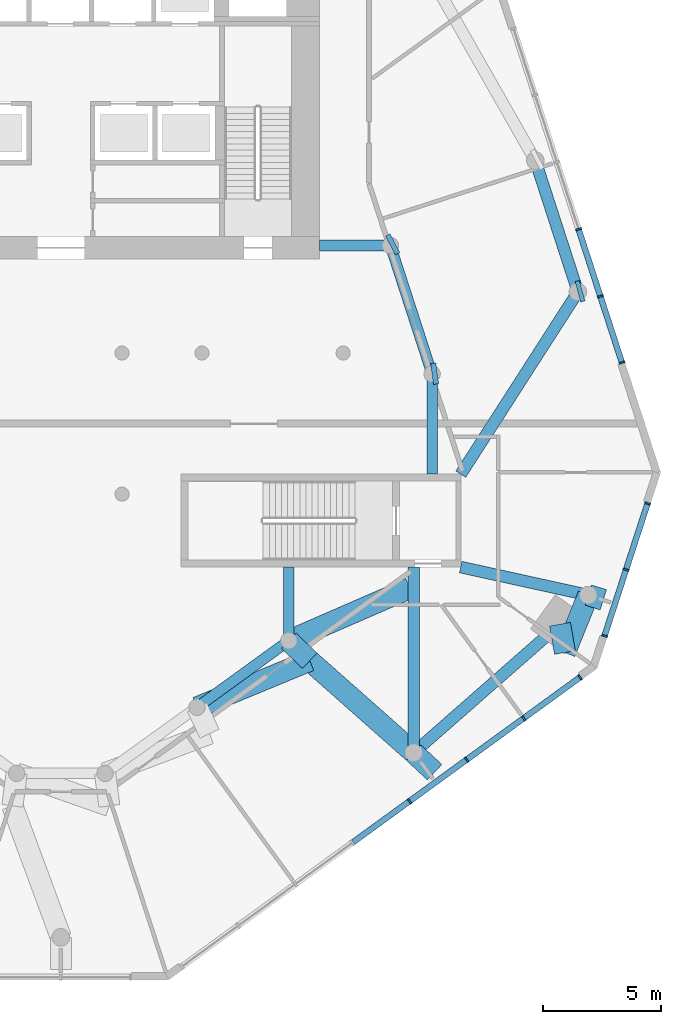
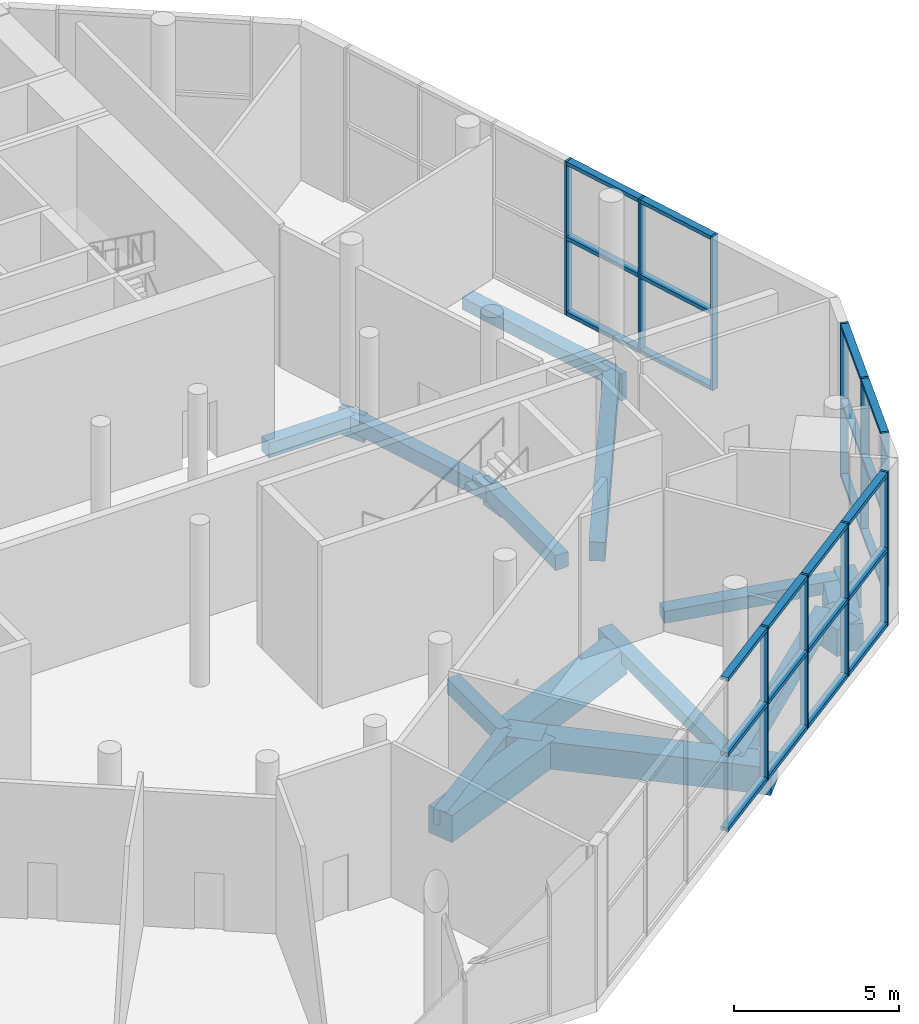
# One storey, part 4 of 14: 34 members, 21 beams, 3 elements without a shape of their own.
"""IFC4 building model written with IfcOpenShell, lengths in metres."""

from ifc_helpers import new_model, si_unit, direction, frame, origin, origin_2d, place, context, subcontext, project, spatial, rectangle, extrude, material, material_profile, profile_set, type_object, element, aggregate, save


model = new_model("IFC4")

# Units and contexts
model_context = context("Model", 3, precision=1e-05, world=origin(), true_north=direction((0.0, 1.0)))
body_context = subcontext(model_context, "Body", "Model", "MODEL_VIEW")
ifc_project = project(units=[si_unit("LENGTHUNIT", "METRE"), si_unit("AREAUNIT", "SQUARE_METRE"), si_unit("VOLUMEUNIT", "CUBIC_METRE"), si_unit("PLANEANGLEUNIT", "RADIAN"), si_unit("MASSUNIT", "GRAM", prefix="KILO")], contexts=[model_context])

# Site, building, storey
site_placement = place(None, origin())
site = spatial("IfcSite", under=ifc_project, at=site_placement, CompositionType="ELEMENT")
building_placement = place(site_placement, origin())
building = spatial("IfcBuilding", under=site, at=building_placement, Name="White Candle Pilgrim Tower", CompositionType="ELEMENT")
storey_placement = place(building_placement, frame((0.0, 0.0, 142.60009765625)))
storey = spatial("IfcBuildingStorey", under=building, at=storey_placement, Name="L32", CompositionType="ELEMENT", Elevation=142.60009765625)

# Curtain wall, members
ifc_material_1 = material(Name="Aluminium and glass", Category="aluminium")
curtain_wall_type = type_object("IfcCurtainWallType", Name="Curtain wall CW4 sky floor glazing", PredefinedType="NOTDEFINED", material=ifc_material_1)
curtain_wall_1_placement = place(storey_placement, origin())
curtain_wall_1 = element("IfcCurtainWall", 1, at=curtain_wall_1_placement, inside=storey, type_object=curtain_wall_type, Name="Curtain wall CW4 L32 SE", PredefinedType="NOTDEFINED")
ifc_material_2 = material(Name="Aluminium", Category="aluminium")
ifc_material_profile_1 = material_profile(ifc_material_2, rectangle(XDim=0.25, YDim=0.080078125, at=origin_2d()), Name="CW4 mullion 80x250")
ifc_profile_set_1 = profile_set([ifc_material_profile_1], Name="Aluminium")
member_type_1 = type_object("IfcMemberType", Name="CW4 mullion 80x250", PredefinedType="MULLION", material=ifc_profile_set_1)
member_1_placement = place(storey_placement, frame((84.82373046875, 47.947998046875, 0.0), z_axis=(0.0, 0.0, 1.0), x_axis=(-0.587785245924, 0.809016999002, 0.0)))
member_1 = element("IfcMember", 2, at=member_1_placement, type_object=member_type_1, Name="CW4 mullion 5", PredefinedType="MULLION", context=body_context, shape_type="SweptSolid", body=[
    extrude(rectangle(XDim=0.25, YDim=0.080078125, at=origin_2d()), origin(), (0.0, 0.0, 1.0), 5.699951171875),
])
member_2_placement = place(storey_placement, frame((87.250732421875, 49.71142578125, 0.0), z_axis=(0.0, 0.0, 1.0), x_axis=(-0.587785245924, 0.809016999002, 0.0)))
member_2 = element("IfcMember", 3, at=member_2_placement, type_object=member_type_1, Name="CW4 mullion 6", PredefinedType="MULLION", context=body_context, shape_type="SweptSolid", body=[
    extrude(rectangle(XDim=0.25, YDim=0.080078125, at=origin_2d()), origin(), (0.0, 0.0, 1.0), 5.699951171875),
])
member_3_placement = place(storey_placement, frame((89.677734375, 51.474853515625, 0.0), z_axis=(0.0, 0.0, 1.0), x_axis=(-0.587785245924, 0.809016999002, 0.0)))
member_3 = element("IfcMember", 4, at=member_3_placement, type_object=member_type_1, Name="CW4 mullion 7", PredefinedType="MULLION", context=body_context, shape_type="SweptSolid", body=[
    extrude(rectangle(XDim=0.25, YDim=0.080078125, at=origin_2d()), origin(), (0.0, 0.0, 1.0), 5.699951171875),
])
member_4_placement = place(storey_placement, frame((92.072509765625, 53.214599609375, 0.0), z_axis=(0.0, 0.0, 1.0), x_axis=(-0.587785245924, 0.809016999002, 0.0)))
member_4 = element("IfcMember", 5, at=member_4_placement, type_object=member_type_1, Name="CW4 mullion 8", PredefinedType="MULLION", context=body_context, shape_type="SweptSolid", body=[
    extrude(rectangle(XDim=0.25, YDim=0.080078125, at=origin_2d()), origin(), (0.0, 0.0, 1.0), 5.699951171875),
])

curtain_wall_2_placement = place(storey_placement, origin())
curtain_wall_2 = element("IfcCurtainWall", 6, at=curtain_wall_2_placement, inside=storey, type_object=curtain_wall_type, Name="Curtain wall CW4 L32 E chamfer", PredefinedType="NOTDEFINED")
member_5_placement = place(storey_placement, frame((93.113525390625, 54.97607421875, 0.0), z_axis=(0.0, 0.0, 1.0), x_axis=(-0.951056508674, 0.309017017829, 0.0)))
member_5 = element("IfcMember", 7, at=member_5_placement, type_object=member_type_1, Name="CW4 mullion 1", PredefinedType="MULLION", context=body_context, shape_type="SweptSolid", body=[
    extrude(rectangle(XDim=0.25, YDim=0.080078125, at=origin_2d()), origin(), (0.0, 0.0, 1.0), 5.699951171875),
])
member_6_placement = place(storey_placement, frame((94.028076171875, 57.791259765625, 0.0), z_axis=(0.0, 0.0, 1.0), x_axis=(-0.951056508674, 0.309017017829, 0.0)))
member_6 = element("IfcMember", 8, at=member_6_placement, type_object=member_type_1, Name="CW4 mullion 2", PredefinedType="MULLION", context=body_context, shape_type="SweptSolid", body=[
    extrude(rectangle(XDim=0.25, YDim=0.080078125, at=origin_2d()), origin(), (0.0, 0.0, 1.0), 5.699951171875),
])
member_7_placement = place(storey_placement, frame((94.94287109375, 60.6064453125, 0.0), z_axis=(0.0, 0.0, 1.0), x_axis=(-0.951056508674, 0.309017017829, 0.0)))
member_7 = element("IfcMember", 9, at=member_7_placement, type_object=member_type_1, Name="CW4 mullion 3", PredefinedType="MULLION", context=body_context, shape_type="SweptSolid", body=[
    extrude(rectangle(XDim=0.25, YDim=0.080078125, at=origin_2d()), origin(), (0.0, 0.0, 1.0), 5.699951171875),
])

curtain_wall_3_placement = place(storey_placement, origin())
curtain_wall_3 = element("IfcCurtainWall", 10, at=curtain_wall_3_placement, inside=storey, type_object=curtain_wall_type, Name="Curtain wall CW4 L32 ENE", PredefinedType="NOTDEFINED")
member_8_placement = place(storey_placement, frame((93.85205078125, 66.59521484375, 0.0), z_axis=(0.0, 0.0, 1.0), x_axis=(-0.951056511069, -0.309017010459, 0.0)))
member_8 = element("IfcMember", 11, at=member_8_placement, type_object=member_type_1, Name="CW4 mullion 1", PredefinedType="MULLION", context=body_context, shape_type="SweptSolid", body=[
    extrude(rectangle(XDim=0.25, YDim=0.080078125, at=origin_2d()), origin(), (0.0, 0.0, 1.0), 5.699951171875),
])
member_9_placement = place(storey_placement, frame((92.937255859375, 69.410400390625, 0.0), z_axis=(0.0, 0.0, 1.0), x_axis=(-0.951056511069, -0.309017010459, 0.0)))
member_9 = element("IfcMember", 12, at=member_9_placement, type_object=member_type_1, Name="CW4 mullion 2", PredefinedType="MULLION", context=body_context, shape_type="SweptSolid", body=[
    extrude(rectangle(XDim=0.25, YDim=0.080078125, at=origin_2d()), origin(), (0.0, 0.0, 1.0), 5.699951171875),
])
member_10_placement = place(storey_placement, frame((92.01025390625, 72.263427734375, 0.0), z_axis=(0.0, 0.0, 1.0), x_axis=(-0.951056511069, -0.309017010459, 0.0)))
member_10 = element("IfcMember", 13, at=member_10_placement, type_object=member_type_1, Name="CW4 mullion 3", PredefinedType="MULLION", context=body_context, shape_type="SweptSolid", body=[
    extrude(rectangle(XDim=0.25, YDim=0.080078125, at=origin_2d()), origin(), (0.0, 0.0, 1.0), 5.699951171875),
])

# Member
ifc_material_profile_2 = material_profile(ifc_material_2, rectangle(XDim=0.25, YDim=0.139892578125, at=origin_2d()), Name="CW4 transom 140x250")
ifc_profile_set_2 = profile_set([ifc_material_profile_2], Name="Aluminium")
member_type_2 = type_object("IfcMemberType", Name="CW4 transom 140x250", PredefinedType="USERDEFINED", material=ifc_profile_set_2)
member_11_placement = place(storey_placement, frame((82.428955078125, 46.208251953125, 0.06982421875), z_axis=(0.809018008275, 0.587783856777, 0.0), x_axis=(-0.587783856777, 0.809018008275, 0.0)))
member_11 = element("IfcMember", 14, at=member_11_placement, type_object=member_type_2, Name="CW4 transom 4.1", ObjectType="TRANSOM", PredefinedType="USERDEFINED", context=body_context, shape_type="SweptSolid", body=[
    extrude(rectangle(XDim=0.25, YDim=0.139892578125, at=origin_2d()), origin(), (0.0, 0.0, 1.0), 2.919921875),
])

member_12_placement = place(storey_placement, frame((82.428955078125, 46.208251953125, 2.849853515625), z_axis=(0.809018008275, 0.587783856777, 0.0), x_axis=(-0.587783856777, 0.809018008275, 0.0)))
member_12 = element("IfcMember", 15, at=member_12_placement, type_object=member_type_2, Name="CW4 transom 4.2", ObjectType="TRANSOM", PredefinedType="USERDEFINED", context=body_context, shape_type="SweptSolid", body=[
    extrude(rectangle(XDim=0.25, YDim=0.139892578125, at=origin_2d()), origin(), (0.0, 0.0, 1.0), 2.919921875),
])

member_13_placement = place(storey_placement, frame((82.428955078125, 46.208251953125, 5.6298828125), z_axis=(0.809018008275, 0.587783856777, 0.0), x_axis=(-0.587783856777, 0.809018008275, 0.0)))
member_13 = element("IfcMember", 16, at=member_13_placement, type_object=member_type_2, Name="CW4 transom 4.3", ObjectType="TRANSOM", PredefinedType="USERDEFINED", context=body_context, shape_type="SweptSolid", body=[
    extrude(rectangle(XDim=0.25, YDim=0.139892578125, at=origin_2d()), origin(), (0.0, 0.0, 1.0), 2.919921875),
])

member_14_placement = place(storey_placement, frame((84.85595703125, 47.9716796875, 0.06982421875), z_axis=(0.809018008275, 0.587783856777, 0.0), x_axis=(-0.587783856777, 0.809018008275, 0.0)))
member_14 = element("IfcMember", 17, at=member_14_placement, type_object=member_type_2, Name="CW4 transom 5.1", ObjectType="TRANSOM", PredefinedType="USERDEFINED", context=body_context, shape_type="SweptSolid", body=[
    extrude(rectangle(XDim=0.25, YDim=0.139892578125, at=origin_2d()), origin(), (0.0, 0.0, 1.0), 2.919921875),
])

member_15_placement = place(storey_placement, frame((84.85595703125, 47.9716796875, 2.849853515625), z_axis=(0.809018008275, 0.587783856777, 0.0), x_axis=(-0.587783856777, 0.809018008275, 0.0)))
member_15 = element("IfcMember", 18, at=member_15_placement, type_object=member_type_2, Name="CW4 transom 5.2", ObjectType="TRANSOM", PredefinedType="USERDEFINED", context=body_context, shape_type="SweptSolid", body=[
    extrude(rectangle(XDim=0.25, YDim=0.139892578125, at=origin_2d()), origin(), (0.0, 0.0, 1.0), 2.919921875),
])

member_16_placement = place(storey_placement, frame((84.85595703125, 47.9716796875, 5.6298828125), z_axis=(0.809018008275, 0.587783856777, 0.0), x_axis=(-0.587783856777, 0.809018008275, 0.0)))
member_16 = element("IfcMember", 19, at=member_16_placement, type_object=member_type_2, Name="CW4 transom 5.3", ObjectType="TRANSOM", PredefinedType="USERDEFINED", context=body_context, shape_type="SweptSolid", body=[
    extrude(rectangle(XDim=0.25, YDim=0.139892578125, at=origin_2d()), origin(), (0.0, 0.0, 1.0), 2.919921875),
])

member_17_placement = place(storey_placement, frame((87.283203125, 49.73486328125, 0.06982421875), z_axis=(0.808978249129, 0.587838576853, 0.0), x_axis=(-0.587838576853, 0.808978249129, 0.0)))
member_17 = element("IfcMember", 20, at=member_17_placement, type_object=member_type_2, Name="CW4 transom 6.1", ObjectType="TRANSOM", PredefinedType="USERDEFINED", context=body_context, shape_type="SweptSolid", body=[
    extrude(rectangle(XDim=0.25, YDim=0.139892578125, at=origin_2d()), origin(), (0.0, 0.0, 1.0), 2.920166015625),
])

member_18_placement = place(storey_placement, frame((87.283203125, 49.73486328125, 2.849853515625), z_axis=(0.808978249129, 0.587838576853, 0.0), x_axis=(-0.587838576853, 0.808978249129, 0.0)))
member_18 = element("IfcMember", 21, at=member_18_placement, type_object=member_type_2, Name="CW4 transom 6.2", ObjectType="TRANSOM", PredefinedType="USERDEFINED", context=body_context, shape_type="SweptSolid", body=[
    extrude(rectangle(XDim=0.25, YDim=0.139892578125, at=origin_2d()), origin(), (0.0, 0.0, 1.0), 2.920166015625),
])

member_19_placement = place(storey_placement, frame((87.283203125, 49.73486328125, 5.6298828125), z_axis=(0.808978249129, 0.587838576853, 0.0), x_axis=(-0.587838576853, 0.808978249129, 0.0)))
member_19 = element("IfcMember", 22, at=member_19_placement, type_object=member_type_2, Name="CW4 transom 6.3", ObjectType="TRANSOM", PredefinedType="USERDEFINED", context=body_context, shape_type="SweptSolid", body=[
    extrude(rectangle(XDim=0.25, YDim=0.139892578125, at=origin_2d()), origin(), (0.0, 0.0, 1.0), 2.920166015625),
])

member_20_placement = place(storey_placement, frame((89.710205078125, 51.498291015625, 0.06982421875), z_axis=(0.808992618726, 0.587818801032, 0.0), x_axis=(-0.587818801032, 0.808992618726, 0.0)))
member_20 = element("IfcMember", 23, at=member_20_placement, type_object=member_type_2, Name="CW4 transom 7.1", ObjectType="TRANSOM", PredefinedType="USERDEFINED", context=body_context, shape_type="SweptSolid", body=[
    extrude(rectangle(XDim=0.25, YDim=0.139892578125, at=origin_2d()), origin(), (0.0, 0.0, 1.0), 2.8798828125),
])

member_21_placement = place(storey_placement, frame((89.710205078125, 51.498291015625, 2.849853515625), z_axis=(0.808992618726, 0.587818801032, 0.0), x_axis=(-0.587818801032, 0.808992618726, 0.0)))
member_21 = element("IfcMember", 24, at=member_21_placement, type_object=member_type_2, Name="CW4 transom 7.2", ObjectType="TRANSOM", PredefinedType="USERDEFINED", context=body_context, shape_type="SweptSolid", body=[
    extrude(rectangle(XDim=0.25, YDim=0.139892578125, at=origin_2d()), origin(), (0.0, 0.0, 1.0), 2.8798828125),
])

member_22_placement = place(storey_placement, frame((89.710205078125, 51.498291015625, 5.6298828125), z_axis=(0.808992618726, 0.587818801032, 0.0), x_axis=(-0.587818801032, 0.808992618726, 0.0)))
member_22 = element("IfcMember", 25, at=member_22_placement, type_object=member_type_2, Name="CW4 transom 7.3", ObjectType="TRANSOM", PredefinedType="USERDEFINED", context=body_context, shape_type="SweptSolid", body=[
    extrude(rectangle(XDim=0.25, YDim=0.139892578125, at=origin_2d()), origin(), (0.0, 0.0, 1.0), 2.8798828125),
])

aggregate(curtain_wall_1, [member_1, member_2, member_3, member_4, member_11, member_12, member_13, member_14, member_15, member_16, member_17, member_18, member_19, member_20, member_21, member_22])

member_23_placement = place(storey_placement, frame((93.125732421875, 55.01416015625, 0.06982421875), z_axis=(0.309072654729, 0.951038429349, 0.0), x_axis=(-0.951038429349, 0.309072654729, 0.0)))
member_23 = element("IfcMember", 26, at=member_23_placement, type_object=member_type_2, Name="CW4 transom 1.1", ObjectType="TRANSOM", PredefinedType="USERDEFINED", context=body_context, shape_type="SweptSolid", body=[
    extrude(rectangle(XDim=0.25, YDim=0.139892578125, at=origin_2d()), origin(), (0.0, 0.0, 1.0), 2.880126953125),
])

member_24_placement = place(storey_placement, frame((93.125732421875, 55.01416015625, 2.849853515625), z_axis=(0.309072654729, 0.951038429349, 0.0), x_axis=(-0.951038429349, 0.309072654729, 0.0)))
member_24 = element("IfcMember", 27, at=member_24_placement, type_object=member_type_2, Name="CW4 transom 1.2", ObjectType="TRANSOM", PredefinedType="USERDEFINED", context=body_context, shape_type="SweptSolid", body=[
    extrude(rectangle(XDim=0.25, YDim=0.139892578125, at=origin_2d()), origin(), (0.0, 0.0, 1.0), 2.880126953125),
])

member_25_placement = place(storey_placement, frame((93.125732421875, 55.01416015625, 5.6298828125), z_axis=(0.309072654729, 0.951038429349, 0.0), x_axis=(-0.951038429349, 0.309072654729, 0.0)))
member_25 = element("IfcMember", 28, at=member_25_placement, type_object=member_type_2, Name="CW4 transom 1.3", ObjectType="TRANSOM", PredefinedType="USERDEFINED", context=body_context, shape_type="SweptSolid", body=[
    extrude(rectangle(XDim=0.25, YDim=0.139892578125, at=origin_2d()), origin(), (0.0, 0.0, 1.0), 2.880126953125),
])

member_26_placement = place(storey_placement, frame((94.04052734375, 57.829345703125, 0.06982421875), z_axis=(0.308995979141, 0.951063344302, 0.0), x_axis=(-0.951063344302, 0.308995979141, 0.0)))
member_26 = element("IfcMember", 29, at=member_26_placement, type_object=member_type_2, Name="CW4 transom 2.1", ObjectType="TRANSOM", PredefinedType="USERDEFINED", context=body_context, shape_type="SweptSolid", body=[
    extrude(rectangle(XDim=0.25, YDim=0.139892578125, at=origin_2d()), origin(), (0.0, 0.0, 1.0), 2.8798828125),
])

member_27_placement = place(storey_placement, frame((94.04052734375, 57.829345703125, 2.849853515625), z_axis=(0.308995979141, 0.951063344302, 0.0), x_axis=(-0.951063344302, 0.308995979141, 0.0)))
member_27 = element("IfcMember", 30, at=member_27_placement, type_object=member_type_2, Name="CW4 transom 2.2", ObjectType="TRANSOM", PredefinedType="USERDEFINED", context=body_context, shape_type="SweptSolid", body=[
    extrude(rectangle(XDim=0.25, YDim=0.139892578125, at=origin_2d()), origin(), (0.0, 0.0, 1.0), 2.8798828125),
])

member_28_placement = place(storey_placement, frame((94.04052734375, 57.829345703125, 5.6298828125), z_axis=(0.308995979141, 0.951063344302, 0.0), x_axis=(-0.951063344302, 0.308995979141, 0.0)))
member_28 = element("IfcMember", 31, at=member_28_placement, type_object=member_type_2, Name="CW4 transom 2.3", ObjectType="TRANSOM", PredefinedType="USERDEFINED", context=body_context, shape_type="SweptSolid", body=[
    extrude(rectangle(XDim=0.25, YDim=0.139892578125, at=origin_2d()), origin(), (0.0, 0.0, 1.0), 2.8798828125),
])

aggregate(curtain_wall_2, [member_5, member_6, member_7, member_23, member_24, member_25, member_26, member_27, member_28])

member_29_placement = place(storey_placement, frame((93.839599609375, 66.63330078125, 0.06982421875), z_axis=(-0.308995979141, 0.951063344302, 0.0), x_axis=(-0.951063344302, -0.308995979141, 0.0)))
member_29 = element("IfcMember", 32, at=member_29_placement, type_object=member_type_2, Name="CW4 transom 1.1", ObjectType="TRANSOM", PredefinedType="USERDEFINED", context=body_context, shape_type="SweptSolid", body=[
    extrude(rectangle(XDim=0.25, YDim=0.139892578125, at=origin_2d()), origin(), (0.0, 0.0, 1.0), 2.8798828125),
])

member_30_placement = place(storey_placement, frame((93.839599609375, 66.63330078125, 2.849853515625), z_axis=(-0.308995979141, 0.951063344302, 0.0), x_axis=(-0.951063344302, -0.308995979141, 0.0)))
member_30 = element("IfcMember", 33, at=member_30_placement, type_object=member_type_2, Name="CW4 transom 1.2", ObjectType="TRANSOM", PredefinedType="USERDEFINED", context=body_context, shape_type="SweptSolid", body=[
    extrude(rectangle(XDim=0.25, YDim=0.139892578125, at=origin_2d()), origin(), (0.0, 0.0, 1.0), 2.8798828125),
])

member_31_placement = place(storey_placement, frame((93.839599609375, 66.63330078125, 5.6298828125), z_axis=(-0.308995979141, 0.951063344302, 0.0), x_axis=(-0.951063344302, -0.308995979141, 0.0)))
member_31 = element("IfcMember", 34, at=member_31_placement, type_object=member_type_2, Name="CW4 transom 1.3", ObjectType="TRANSOM", PredefinedType="USERDEFINED", context=body_context, shape_type="SweptSolid", body=[
    extrude(rectangle(XDim=0.25, YDim=0.139892578125, at=origin_2d()), origin(), (0.0, 0.0, 1.0), 2.8798828125),
])

member_32_placement = place(storey_placement, frame((92.9248046875, 69.448486328125, 0.06982421875), z_axis=(-0.30904447678, 0.951047586281, 0.0), x_axis=(-0.951047586281, -0.30904447678, 0.0)))
member_32 = element("IfcMember", 35, at=member_32_placement, type_object=member_type_2, Name="CW4 transom 2.1", ObjectType="TRANSOM", PredefinedType="USERDEFINED", context=body_context, shape_type="SweptSolid", body=[
    extrude(rectangle(XDim=0.25, YDim=0.139892578125, at=origin_2d()), origin(), (0.0, 0.0, 1.0), 2.919677734375),
])

member_33_placement = place(storey_placement, frame((92.9248046875, 69.448486328125, 2.849853515625), z_axis=(-0.30904447678, 0.951047586281, 0.0), x_axis=(-0.951047586281, -0.30904447678, 0.0)))
member_33 = element("IfcMember", 36, at=member_33_placement, type_object=member_type_2, Name="CW4 transom 2.2", ObjectType="TRANSOM", PredefinedType="USERDEFINED", context=body_context, shape_type="SweptSolid", body=[
    extrude(rectangle(XDim=0.25, YDim=0.139892578125, at=origin_2d()), origin(), (0.0, 0.0, 1.0), 2.919677734375),
])

member_34_placement = place(storey_placement, frame((92.9248046875, 69.448486328125, 5.6298828125), z_axis=(-0.30904447678, 0.951047586281, 0.0), x_axis=(-0.951047586281, -0.30904447678, 0.0)))
member_34 = element("IfcMember", 37, at=member_34_placement, type_object=member_type_2, Name="CW4 transom 2.3", ObjectType="TRANSOM", PredefinedType="USERDEFINED", context=body_context, shape_type="SweptSolid", body=[
    extrude(rectangle(XDim=0.25, YDim=0.139892578125, at=origin_2d()), origin(), (0.0, 0.0, 1.0), 2.919677734375),
])

aggregate(curtain_wall_3, [member_8, member_9, member_10, member_29, member_30, member_31, member_32, member_33, member_34])

# Beams
ifc_material_3 = material(Name="Concrete C50/60", Category="concrete")
ifc_material_profile_3 = material_profile(ifc_material_3, rectangle(XDim=0.449951171875, YDim=0.550048828125, at=origin_2d()), Name="RC-BM 450x550")
ifc_profile_set_3 = profile_set([ifc_material_profile_3], Name="Concrete C50/60")
beam_type_1 = type_object("IfcBeamType", Name="Ring beam RC-BM 450x550 C50/60", PredefinedType="BEAM", material=ifc_profile_set_3)
beam_1_placement = place(storey_placement, frame((75.7900390625, 51.93994140625, -0.675048828125), z_axis=(0.809349121708, 0.587327846428, 0.0), x_axis=(-0.587327846428, 0.809349121708, 0.0)))
element("IfcBeam", 38, at=beam_1_placement, inside=storey, type_object=beam_type_1, Name="L32 ring beam R05", PredefinedType="BEAM", context=body_context, shape_type="SweptSolid", body=[
    extrude(rectangle(XDim=0.449951171875, YDim=0.550048828125, at=origin_2d()), origin(), (0.0, 0.0, 1.0), 4.818603515625),
])
beam_2_placement = place(storey_placement, frame((79.68994140625, 54.77001953125, -0.675048828125), z_axis=(0.0, 1.0, 0.0), x_axis=(-1.0, 0.0, 0.0)))
element("IfcBeam", 39, at=beam_2_placement, inside=storey, type_object=beam_type_1, Name="L32 ring beam R06", PredefinedType="BEAM", context=body_context, shape_type="SweptSolid", body=[
    extrude(rectangle(XDim=0.449951171875, YDim=0.550048828125, at=origin_2d()), origin(), (0.0, 0.0, 1.0), 3.1298828125),
])
beam_3_placement = place(storey_placement, frame((85.780029296875, 66.110107421875, -0.675048828125), z_axis=(0.0, -1.0, 0.0), x_axis=(1.0, 0.0, 0.0)))
element("IfcBeam", 40, at=beam_3_placement, inside=storey, type_object=beam_type_1, Name="L32 ring beam R07", PredefinedType="BEAM", context=body_context, shape_type="SweptSolid", body=[
    extrude(rectangle(XDim=0.449951171875, YDim=0.550048828125, at=origin_2d()), origin(), (0.0, 0.0, 1.0), 4.260009765625),
])
beam_4_placement = place(storey_placement, frame((85.780029296875, 66.110107421875, -0.675048828125), z_axis=(-0.308381952747, 0.95126261948, 0.0), x_axis=(-0.95126261948, -0.308381952747, 0.0)))
element("IfcBeam", 41, at=beam_4_placement, inside=storey, type_object=beam_type_1, Name="L32 ring beam R08", PredefinedType="BEAM", context=body_context, shape_type="SweptSolid", body=[
    extrude(rectangle(XDim=0.449951171875, YDim=0.550048828125, at=origin_2d()), origin(), (0.0, 0.0, 1.0), 5.73974609375),
])
beam_5_placement = place(storey_placement, frame((84.010009765625, 71.570068359375, -0.675048828125), z_axis=(-1.0, 0.0, 0.0), x_axis=(0.0, -1.0, 0.0)))
element("IfcBeam", 42, at=beam_5_placement, inside=storey, type_object=beam_type_1, Name="L32 ring beam R09", PredefinedType="BEAM", context=body_context, shape_type="SweptSolid", body=[
    extrude(rectangle(XDim=0.449951171875, YDim=0.550048828125, at=origin_2d()), origin(), (0.0, 0.0, 1.0), 3.010009765625),
])
ifc_material_profile_4 = material_profile(ifc_material_3, rectangle(XDim=0.5, YDim=0.449951171875, at=origin_2d()), Name="RC-BM 500x450")
ifc_profile_set_4 = profile_set([ifc_material_profile_4], Name="Concrete C50/60")
beam_type_2 = type_object("IfcBeamType", Name="Spandrel beam RC-BM 500x450 C50/60", PredefinedType="BEAM", material=ifc_profile_set_4)
beam_6_placement = place(storey_placement, frame((85.0, 50.010009765625, -0.625), z_axis=(0.0, 1.0, 0.0), x_axis=(-1.0, 0.0, 0.0)))
element("IfcBeam", 43, at=beam_6_placement, inside=storey, type_object=beam_type_2, Name="L32 spandrel beam T05", PredefinedType="BEAM", context=body_context, shape_type="SweptSolid", body=[
    extrude(rectangle(XDim=0.5, YDim=0.449951171875, at=origin_2d()), origin(), (0.0, 0.0, 1.0), 7.889892578125),
])
beam_7_placement = place(storey_placement, frame((92.419921875, 56.7099609375, -0.625), z_axis=(-0.97673670173, 0.214442102893, 0.0), x_axis=(-0.214442102893, -0.97673670173, 0.0)))
element("IfcBeam", 44, at=beam_7_placement, inside=storey, type_object=beam_type_2, Name="L32 spandrel beam T08", PredefinedType="BEAM", context=body_context, shape_type="SweptSolid", body=[
    extrude(rectangle(XDim=0.5, YDim=0.449951171875, at=origin_2d()), origin(), (0.0, 0.0, 1.0), 5.549072265625),
])
beam_8_placement = place(storey_placement, frame((91.97998046875, 69.60009765625, -0.625), z_axis=(-0.308563728843, 0.951203671798, 0.0), x_axis=(-0.951203671798, -0.308563728843, 0.0)))
element("IfcBeam", 45, at=beam_8_placement, inside=storey, type_object=beam_type_2, Name="L32 spandrel beam T10", PredefinedType="BEAM", context=body_context, shape_type="SweptSolid", body=[
    extrude(rectangle(XDim=0.5, YDim=0.449951171875, at=origin_2d()), origin(), (0.0, 0.0, 1.0), 5.865966796875),
])
ifc_material_profile_5 = material_profile(ifc_material_3, rectangle(XDim=0.5, YDim=0.699951171875, at=origin_2d()), Name="RC-BM 500x700")
ifc_profile_set_5 = profile_set([ifc_material_profile_5], Name="Concrete C50/60")
beam_type_3 = type_object("IfcBeamType", Name="Spandrel beam RC-BM 500x700 C50/60", PredefinedType="BEAM", material=ifc_profile_set_5)
beam_9_placement = place(storey_placement, frame((85.0, 50.010009765625, -0.75), z_axis=(0.751528683528, 0.659700415215, 0.0), x_axis=(-0.659700415215, 0.751528683528, 0.0)))
element("IfcBeam", 46, at=beam_9_placement, inside=storey, type_object=beam_type_3, Name="L32 spandrel beam T06", PredefinedType="BEAM", context=body_context, shape_type="SweptSolid", body=[
    extrude(rectangle(XDim=0.5, YDim=0.699951171875, at=origin_2d()), origin(), (0.0, 0.0, 1.0), 8.2763671875),
])
beam_10_placement = place(storey_placement, frame((91.97998046875, 69.60009765625, -0.75), z_axis=(-0.540591487681, -0.841285233109, 0.0), x_axis=(0.841285233109, -0.540591487681, 0.0)))
element("IfcBeam", 47, at=beam_10_placement, inside=storey, type_object=beam_type_3, Name="L32 spandrel beam T09", PredefinedType="BEAM", context=body_context, shape_type="SweptSolid", body=[
    extrude(rectangle(XDim=0.5, YDim=0.699951171875, at=origin_2d()), origin(), (0.0, 0.0, 1.0), 9.212158203125),
])
ifc_material_profile_6 = material_profile(ifc_material_3, rectangle(XDim=0.89990234375, YDim=1.0, at=origin_2d()), Name="RC-BM 900x1000")
ifc_profile_set_6 = profile_set([ifc_material_profile_6], Name="Concrete C50/60")
beam_type_4 = type_object("IfcBeamType", Name="Transfer girder RC-BM 900x1000 C50/60", PredefinedType="BEAM", material=ifc_profile_set_6)
beam_11_placement = place(storey_placement, frame((75.7900390625, 51.93994140625, -0.900146484375), z_axis=(0.924160228196, 0.382005068841, 0.0), x_axis=(-0.382005068841, 0.924160228196, 0.0)))
element("IfcBeam", 48, at=beam_11_placement, inside=storey, type_object=beam_type_4, Name="L32 transfer girder X12", PredefinedType="BEAM", context=body_context, shape_type="SweptSolid", body=[
    extrude(rectangle(XDim=0.89990234375, YDim=1.0, at=origin_2d()), origin(), (0.0, 0.0, 1.0), 5.18310546875),
])
beam_12_placement = place(storey_placement, frame((80.580078125, 53.919921875, -0.900146484375), z_axis=(-0.723184404777, 0.690654991068, 0.0), x_axis=(-0.690654991068, -0.723184404777, 0.0)))
element("IfcBeam", 49, at=beam_12_placement, inside=storey, type_object=beam_type_4, Name="L32 transfer girder X15", PredefinedType="BEAM", context=body_context, shape_type="SweptSolid", body=[
    extrude(rectangle(XDim=0.89990234375, YDim=1.0, at=origin_2d()), origin(), (0.0, 0.0, 1.0), 1.23095703125),
])
beam_13_placement = place(storey_placement, frame((79.68994140625, 54.77001953125, -0.900146484375), z_axis=(0.917018215181, 0.398845324688, 0.0), x_axis=(-0.398845324688, 0.917018215181, 0.0)))
element("IfcBeam", 50, at=beam_13_placement, inside=storey, type_object=beam_type_4, Name="L32 transfer girder X16", PredefinedType="BEAM", context=body_context, shape_type="SweptSolid", body=[
    extrude(rectangle(XDim=0.89990234375, YDim=1.0, at=origin_2d()), origin(), (0.0, 0.0, 1.0), 5.6162109375),
])
beam_14_placement = place(storey_placement, frame((91.429931640625, 54.27001953125, -0.900146484375), z_axis=(-0.172356024364, 0.98503472064, 0.0), x_axis=(-0.98503472064, -0.172356024364, 0.0)))
element("IfcBeam", 51, at=beam_14_placement, inside=storey, type_object=beam_type_4, Name="L32 transfer girder X17", PredefinedType="BEAM", context=body_context, shape_type="SweptSolid", body=[
    extrude(rectangle(XDim=0.89990234375, YDim=1.0, at=origin_2d()), origin(), (0.0, 0.0, 1.0), 1.21826171875),
])
beam_15_placement = place(storey_placement, frame((85.889892578125, 49.179931640625, -0.900146484375), z_axis=(-0.731255379023, 0.682103782902, 0.0), x_axis=(-0.682103782902, -0.731255379023, 0.0)))
element("IfcBeam", 52, at=beam_15_placement, inside=storey, type_object=beam_type_4, Name="L32 transfer girder X19", PredefinedType="BEAM", context=body_context, shape_type="SweptSolid", body=[
    extrude(rectangle(XDim=0.89990234375, YDim=1.0, at=origin_2d()), origin(), (0.0, 0.0, 1.0), 1.217041015625),
])
beam_16_placement = place(storey_placement, frame((85.0, 50.010009765625, -0.900146484375), z_axis=(-0.748998141833, 0.662572096855, 0.0), x_axis=(-0.662572096855, -0.748998141833, 0.0)))
element("IfcBeam", 53, at=beam_16_placement, inside=storey, type_object=beam_type_4, Name="L32 transfer girder X20", PredefinedType="BEAM", context=body_context, shape_type="SweptSolid", body=[
    extrude(rectangle(XDim=0.89990234375, YDim=1.0, at=origin_2d()), origin(), (0.0, 0.0, 1.0), 5.901123046875),
])
beam_17_placement = place(storey_placement, frame((93.06005859375, 56.510009765625, -0.900146484375), z_axis=(-0.954518835655, 0.29815062029, 0.0), x_axis=(-0.29815062029, -0.954518835655, 0.0)))
element("IfcBeam", 54, at=beam_17_placement, inside=storey, type_object=beam_type_4, Name="L32 transfer girder X25", PredefinedType="BEAM", context=body_context, shape_type="SweptSolid", body=[
    extrude(rectangle(XDim=0.89990234375, YDim=1.0, at=origin_2d()), origin(), (0.0, 0.0, 1.0), 0.670654296875),
])
beam_18_placement = place(storey_placement, frame((92.419921875, 56.7099609375, -0.900146484375), z_axis=(-0.375974116589, -0.926630165522, 0.0), x_axis=(0.926630165522, -0.375974116589, 0.0)))
element("IfcBeam", 55, at=beam_18_placement, inside=storey, type_object=beam_type_4, Name="L32 transfer girder X26", PredefinedType="BEAM", context=body_context, shape_type="SweptSolid", body=[
    extrude(rectangle(XDim=0.89990234375, YDim=1.0, at=origin_2d()), origin(), (0.0, 0.0, 1.0), 2.633056640625),
])
beam_19_placement = place(storey_placement, frame((86.0, 66.139892578125, -0.900146484375), z_axis=(-0.990956891384, -0.134180622363, 0.0), x_axis=(0.134180622363, -0.990956891384, 0.0)))
element("IfcBeam", 56, at=beam_19_placement, inside=storey, type_object=beam_type_4, Name="L32 transfer girder X29", PredefinedType="BEAM", context=body_context, shape_type="SweptSolid", body=[
    extrude(rectangle(XDim=0.89990234375, YDim=1.0, at=origin_2d()), origin(), (0.0, 0.0, 1.0), 0.221923828125),
])
beam_20_placement = place(storey_placement, frame((84.199951171875, 71.669921875, -0.900146484375), z_axis=(-0.8851402348, -0.465324365081, 0.0), x_axis=(0.465324365081, -0.8851402348, 0.0)))
element("IfcBeam", 57, at=beam_20_placement, inside=storey, type_object=beam_type_4, Name="L32 transfer girder X30", PredefinedType="BEAM", context=body_context, shape_type="SweptSolid", body=[
    extrude(rectangle(XDim=0.89990234375, YDim=1.0, at=origin_2d()), origin(), (0.0, 0.0, 1.0), 0.214599609375),
])
beam_21_placement = place(storey_placement, frame((92.159912109375, 69.64990234375, -0.900146484375), z_axis=(-0.963761061646, -0.266766969574, 0.0), x_axis=(0.266766969574, -0.963761061646, 0.0)))
element("IfcBeam", 58, at=beam_21_placement, inside=storey, type_object=beam_type_4, Name="L32 transfer girder X35", PredefinedType="BEAM", context=body_context, shape_type="SweptSolid", body=[
    extrude(rectangle(XDim=0.89990234375, YDim=1.0, at=origin_2d()), origin(), (0.0, 0.0, 1.0), 0.186767578125),
])

save(model, "model.ifc")
